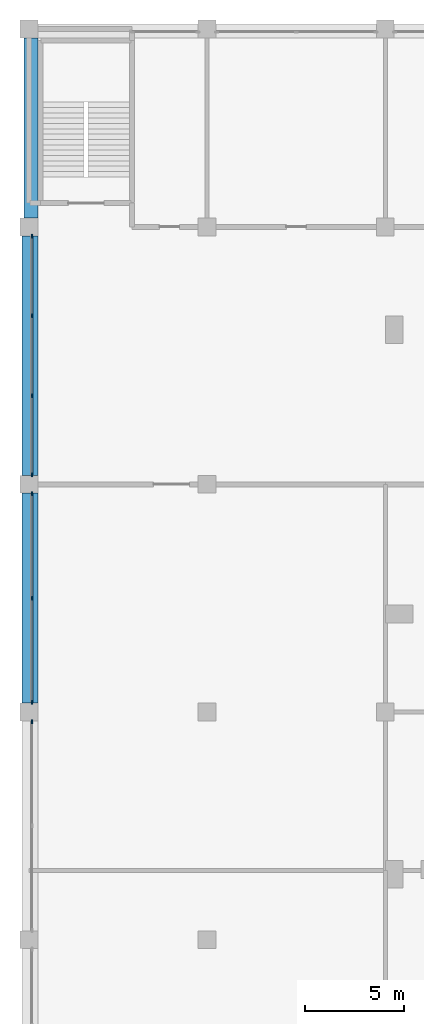
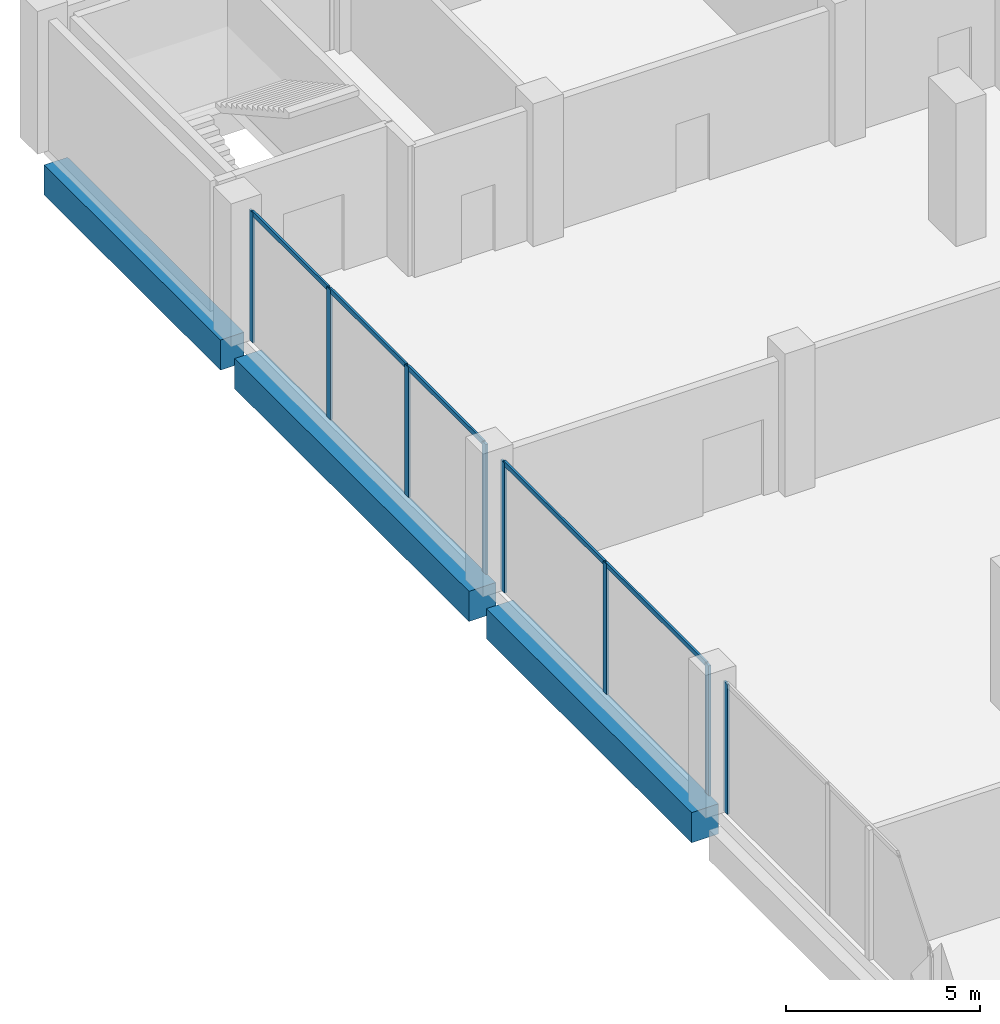
# One storey, part 6 of 22: 13 members, 3 beams, 3 elements without a shape of their own.
"""IFC4 building model written with IfcOpenShell, lengths in metres."""

from ifc_helpers import new_model, si_unit, direction, frame, origin, origin_2d, place, context, subcontext, project, spatial, rectangle, extrude, material, layer, layer_set, material_profile, profile_set, type_object, element, aggregate, save


model = new_model("IFC4")

# Units and contexts
model_context = context("Model", 3, precision=1e-05, world=origin(), true_north=direction((0.0, 1.0)))
body_context = subcontext(model_context, "Body", "Model", "MODEL_VIEW")
ifc_project = project(units=[si_unit("LENGTHUNIT", "METRE"), si_unit("AREAUNIT", "SQUARE_METRE"), si_unit("VOLUMEUNIT", "CUBIC_METRE"), si_unit("PLANEANGLEUNIT", "RADIAN"), si_unit("MASSUNIT", "GRAM", prefix="KILO")], contexts=[model_context])

# Site, building, storey
site_placement = place(None, origin())
site = spatial("IfcSite", under=ifc_project, at=site_placement, CompositionType="ELEMENT")
building_placement = place(site_placement, origin())
building = spatial("IfcBuilding", under=site, at=building_placement, Name="Brigalow Station Residences", CompositionType="ELEMENT")
storey_placement = place(building_placement, frame((0.0, 0.0, 6.5)))
storey = spatial("IfcBuildingStorey", under=building, at=storey_placement, Name="L01", CompositionType="ELEMENT", Elevation=6.5)

# Beams
ifc_material_1 = material(Name="Concrete C65", Category="concrete")
ifc_material_profile_1 = material_profile(ifc_material_1, rectangle(XDim=0.699951171875, YDim=0.949951171875, at=origin_2d()), Name="RC700x950")
ifc_profile_set_1 = profile_set([ifc_material_profile_1], Name="Concrete C65")
beam_type_1 = type_object("IfcBeamType", Name="EDGE GIRDER 4.5 TO 9.9 M SPAN 700x950 C65", PredefinedType="BEAM", material=ifc_profile_set_1)
beam_1_placement = place(storey_placement, frame((-17.89990234375, 48.949951171875, -0.876953125), z_axis=(0.0, 1.0, 0.0), x_axis=(-1.0, 0.0, 0.0)))
element("IfcBeam", 1, at=beam_1_placement, inside=storey, type_object=beam_type_1, Name="PODIUM EDGE GIRDER W36 L01", PredefinedType="BEAM", context=body_context, shape_type="SweptSolid", body=[
    extrude(rectangle(XDim=0.699951171875, YDim=0.949951171875, at=origin_2d()), origin(), (0.0, 0.0, 1.0), 9.10009765625),
])
ifc_material_2 = material(Name="Concrete C65", Category="concrete")
ifc_material_profile_2 = material_profile(ifc_material_2, rectangle(XDim=0.800048828125, YDim=0.949951171875, at=origin_2d()), Name="RC800x950")
ifc_profile_set_2 = profile_set([ifc_material_profile_2], Name="Concrete C65")
beam_type_2 = type_object("IfcBeamType", Name="EDGE GIRDER OVER 9.9 M SPAN 800x950 C65", PredefinedType="BEAM", material=ifc_profile_set_2)
beam_2_placement = place(storey_placement, frame((-17.949951171875, 24.449951171875, -0.876953125), z_axis=(0.0, 1.0, 0.0), x_axis=(-1.0, 0.0, 0.0)))
element("IfcBeam", 2, at=beam_2_placement, inside=storey, type_object=beam_type_2, Name="PODIUM EDGE GIRDER W34 L01", PredefinedType="BEAM", context=body_context, shape_type="SweptSolid", body=[
    extrude(rectangle(XDim=0.800048828125, YDim=0.949951171875, at=origin_2d()), origin(), (0.0, 0.0, 1.0), 10.60009765625),
])
beam_3_placement = place(storey_placement, frame((-17.949951171875, 35.949951171875, -0.876953125), z_axis=(0.0, 1.0, 0.0), x_axis=(-1.0, 0.0, 0.0)))
element("IfcBeam", 3, at=beam_3_placement, inside=storey, type_object=beam_type_2, Name="PODIUM EDGE GIRDER W35 L01", PredefinedType="BEAM", context=body_context, shape_type="SweptSolid", body=[
    extrude(rectangle(XDim=0.800048828125, YDim=0.949951171875, at=origin_2d()), origin(), (0.0, 0.0, 1.0), 12.10009765625),
])

# Curtain wall, members
ifc_material_3 = material(Name="Aluminium", Category="aluminium")
ifc_layer = layer(ifc_material_3, 0.199951171875)
ifc_layer_set = layer_set([ifc_layer], Name="PODIUM UNITISED GLAZING CURTAIN WALL")
curtain_wall_type = type_object("IfcCurtainWallType", Name="PODIUM UNITISED GLAZING CURTAIN WALL", PredefinedType="NOTDEFINED", material=ifc_layer_set)
curtain_wall_1_placement = place(storey_placement, origin())
curtain_wall_1 = element("IfcCurtainWall", 4, at=curtain_wall_1_placement, inside=storey, type_object=curtain_wall_type, Name="L01/cw/podium-W-L01-31-18", PredefinedType="NOTDEFINED")
ifc_material_4 = material(Name="Aluminium", Category="aluminium")
ifc_material_profile_3 = material_profile(ifc_material_4, rectangle(XDim=0.06494140625, YDim=0.199951171875, at=origin_2d()), Name="PODIUM UNITISED GLAZING MULLION 65x200")
ifc_profile_set_3 = profile_set([ifc_material_profile_3], Name="Aluminium")
member_type_1 = type_object("IfcMemberType", Name="PODIUM UNITISED GLAZING MULLION 65x200", PredefinedType="MULLION", material=ifc_profile_set_3)
member_1_placement = place(storey_placement, frame((-17.85009765625, 48.017578125, 0.0), z_axis=(0.0, 0.0, 1.0), x_axis=(1.0, 0.0, 0.0)))
member_1 = element("IfcMember", 5, at=member_1_placement, type_object=member_type_1, Name="L01/cw/podium-W-L01-31-18/M00", PredefinedType="MULLION", context=body_context, shape_type="SweptSolid", body=[
    extrude(rectangle(XDim=0.06494140625, YDim=0.199951171875, at=origin_2d()), origin(), (0.0, 0.0, 1.0), 4.097900390625),
])
member_2_placement = place(storey_placement, frame((-17.85009765625, 44.0166015625, 0.0), z_axis=(0.0, 0.0, 1.0), x_axis=(1.0, 0.0, 0.0)))
member_2 = element("IfcMember", 6, at=member_2_placement, type_object=member_type_1, Name="L01/cw/podium-W-L01-31-18/M01", PredefinedType="MULLION", context=body_context, shape_type="SweptSolid", body=[
    extrude(rectangle(XDim=0.06494140625, YDim=0.199951171875, at=origin_2d()), origin(), (0.0, 0.0, 1.0), 4.097900390625),
])
member_3_placement = place(storey_placement, frame((-17.85009765625, 39.9833984375, 0.0), z_axis=(0.0, 0.0, 1.0), x_axis=(1.0, 0.0, 0.0)))
member_3 = element("IfcMember", 7, at=member_3_placement, type_object=member_type_1, Name="L01/cw/podium-W-L01-31-18/M02", PredefinedType="MULLION", context=body_context, shape_type="SweptSolid", body=[
    extrude(rectangle(XDim=0.06494140625, YDim=0.199951171875, at=origin_2d()), origin(), (0.0, 0.0, 1.0), 4.097900390625),
])
member_4_placement = place(storey_placement, frame((-17.85009765625, 35.982421875, 0.0), z_axis=(0.0, 0.0, 1.0), x_axis=(1.0, 0.0, 0.0)))
member_4 = element("IfcMember", 8, at=member_4_placement, type_object=member_type_1, Name="L01/cw/podium-W-L01-31-18/M03", PredefinedType="MULLION", context=body_context, shape_type="SweptSolid", body=[
    extrude(rectangle(XDim=0.06494140625, YDim=0.199951171875, at=origin_2d()), origin(), (0.0, 0.0, 1.0), 4.097900390625),
])

curtain_wall_2_placement = place(storey_placement, origin())
curtain_wall_2 = element("IfcCurtainWall", 9, at=curtain_wall_2_placement, inside=storey, type_object=curtain_wall_type, Name="L01/cw/podium-W-L01-31-19", PredefinedType="NOTDEFINED")
member_5_placement = place(storey_placement, frame((-17.85009765625, 35.017578125, 0.0), z_axis=(0.0, 0.0, 1.0), x_axis=(1.0, 0.0, 0.0)))
member_5 = element("IfcMember", 10, at=member_5_placement, type_object=member_type_1, Name="L01/cw/podium-W-L01-31-19/M00", PredefinedType="MULLION", context=body_context, shape_type="SweptSolid", body=[
    extrude(rectangle(XDim=0.06494140625, YDim=0.199951171875, at=origin_2d()), origin(), (0.0, 0.0, 1.0), 4.097900390625),
])
member_6_placement = place(storey_placement, frame((-17.85009765625, 29.75, 0.0), z_axis=(0.0, 0.0, 1.0), x_axis=(1.0, 0.0, 0.0)))
member_6 = element("IfcMember", 11, at=member_6_placement, type_object=member_type_1, Name="L01/cw/podium-W-L01-31-19/M01", PredefinedType="MULLION", context=body_context, shape_type="SweptSolid", body=[
    extrude(rectangle(XDim=0.06494140625, YDim=0.199951171875, at=origin_2d()), origin(), (0.0, 0.0, 1.0), 4.097900390625),
])
member_7_placement = place(storey_placement, frame((-17.85009765625, 24.482421875, 0.0), z_axis=(0.0, 0.0, 1.0), x_axis=(1.0, 0.0, 0.0)))
member_7 = element("IfcMember", 12, at=member_7_placement, type_object=member_type_1, Name="L01/cw/podium-W-L01-31-19/M02", PredefinedType="MULLION", context=body_context, shape_type="SweptSolid", body=[
    extrude(rectangle(XDim=0.06494140625, YDim=0.199951171875, at=origin_2d()), origin(), (0.0, 0.0, 1.0), 4.097900390625),
])

# Curtain wall, member
curtain_wall_3_placement = place(storey_placement, origin())
curtain_wall_3 = element("IfcCurtainWall", 13, at=curtain_wall_3_placement, inside=storey, type_object=curtain_wall_type, Name="L01/cw/podium-W-L01-31-20", PredefinedType="NOTDEFINED")
member_8_placement = place(storey_placement, frame((-17.85009765625, 23.517578125, 0.0), z_axis=(0.0, 0.0, 1.0), x_axis=(1.0, 0.0, 0.0)))
member_8 = element("IfcMember", 14, at=member_8_placement, type_object=member_type_1, Name="L01/cw/podium-W-L01-31-20/M00", PredefinedType="MULLION", context=body_context, shape_type="SweptSolid", body=[
    extrude(rectangle(XDim=0.06494140625, YDim=0.199951171875, at=origin_2d()), origin(), (0.0, 0.0, 1.0), 4.097900390625),
])
aggregate(curtain_wall_3, [member_8])

# Member
ifc_material_5 = material(Name="Aluminium", Category="aluminium")
ifc_material_profile_4 = material_profile(ifc_material_5, rectangle(XDim=0.06494140625, YDim=0.14990234375, at=origin_2d()), Name="PODIUM UNITISED GLAZING TRANSOM 65x150")
ifc_profile_set_4 = profile_set([ifc_material_profile_4], Name="Aluminium")
member_type_2 = type_object("IfcMemberType", Name="PODIUM UNITISED GLAZING TRANSOM 65x150", PredefinedType="USERDEFINED", material=ifc_profile_set_4)
member_9_placement = place(storey_placement, frame((-17.85009765625, 47.985107421875, 4.0654296875), z_axis=(0.0, -1.0, 0.0), x_axis=(1.0, 0.0, 0.0)))
member_9 = element("IfcMember", 15, at=member_9_placement, type_object=member_type_2, Name="L01/cw/podium-W-L01-31-18/T00-00", ObjectType="TRANSOM", PredefinedType="USERDEFINED", context=body_context, shape_type="SweptSolid", body=[
    extrude(rectangle(XDim=0.06494140625, YDim=0.14990234375, at=origin_2d()), origin(), (0.0, 0.0, 1.0), 3.935791015625),
])

member_10_placement = place(storey_placement, frame((-17.85009765625, 43.984130859375, 4.0654296875), z_axis=(0.0, -1.0, 0.0), x_axis=(1.0, 0.0, 0.0)))
member_10 = element("IfcMember", 16, at=member_10_placement, type_object=member_type_2, Name="L01/cw/podium-W-L01-31-18/T01-00", ObjectType="TRANSOM", PredefinedType="USERDEFINED", context=body_context, shape_type="SweptSolid", body=[
    extrude(rectangle(XDim=0.06494140625, YDim=0.14990234375, at=origin_2d()), origin(), (0.0, 0.0, 1.0), 3.96826171875),
])

member_11_placement = place(storey_placement, frame((-17.85009765625, 39.95068359375, 4.0654296875), z_axis=(0.0, -1.0, 0.0), x_axis=(1.0, 0.0, 0.0)))
member_11 = element("IfcMember", 17, at=member_11_placement, type_object=member_type_2, Name="L01/cw/podium-W-L01-31-18/T02-00", ObjectType="TRANSOM", PredefinedType="USERDEFINED", context=body_context, shape_type="SweptSolid", body=[
    extrude(rectangle(XDim=0.06494140625, YDim=0.14990234375, at=origin_2d()), origin(), (0.0, 0.0, 1.0), 3.935791015625),
])

aggregate(curtain_wall_1, [member_1, member_2, member_3, member_4, member_9, member_10, member_11])

member_12_placement = place(storey_placement, frame((-17.85009765625, 34.985107421875, 4.0654296875), z_axis=(0.0, -1.0, 0.0), x_axis=(1.0, 0.0, 0.0)))
member_12 = element("IfcMember", 18, at=member_12_placement, type_object=member_type_2, Name="L01/cw/podium-W-L01-31-19/T00-00", ObjectType="TRANSOM", PredefinedType="USERDEFINED", context=body_context, shape_type="SweptSolid", body=[
    extrude(rectangle(XDim=0.06494140625, YDim=0.14990234375, at=origin_2d()), origin(), (0.0, 0.0, 1.0), 5.20263671875),
])

member_13_placement = place(storey_placement, frame((-17.85009765625, 29.717529296875, 4.0654296875), z_axis=(0.0, -1.0, 0.0), x_axis=(1.0, 0.0, 0.0)))
member_13 = element("IfcMember", 19, at=member_13_placement, type_object=member_type_2, Name="L01/cw/podium-W-L01-31-19/T01-00", ObjectType="TRANSOM", PredefinedType="USERDEFINED", context=body_context, shape_type="SweptSolid", body=[
    extrude(rectangle(XDim=0.06494140625, YDim=0.14990234375, at=origin_2d()), origin(), (0.0, 0.0, 1.0), 5.20263671875),
])

aggregate(curtain_wall_2, [member_5, member_6, member_7, member_12, member_13])

save(model, "model.ifc")
